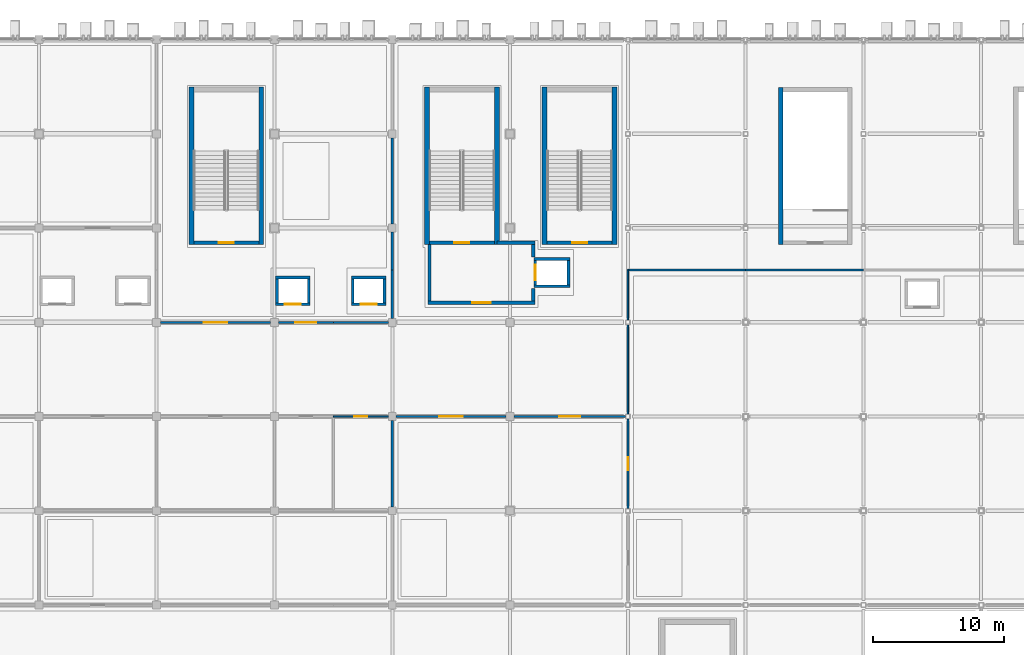
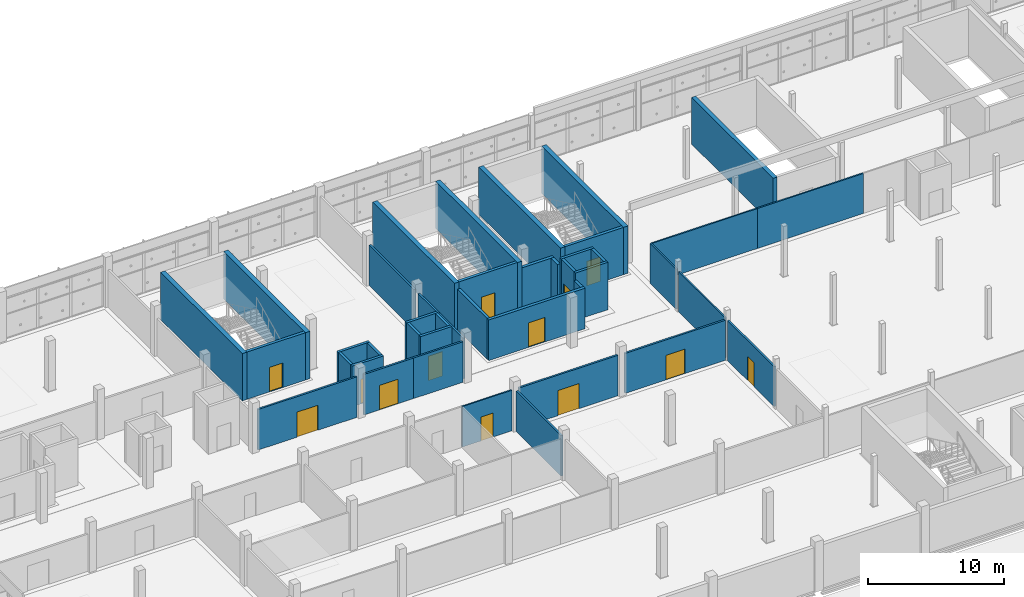
# One storey, part 105 of 124: 42 walls, 13 doors, 13 openings.
"""IFC4 building model written with IfcOpenShell, lengths in metres."""

from ifc_helpers import new_model, si_unit, direction, frame, frame_2d, origin, place, context, subcontext, project, spatial, rectangle, extrude, material, layer, layer_set, type_object, element, fill, save


model = new_model("IFC4")

# Units and contexts
model_context = context("Model", 3, precision=1e-05, world=origin(), true_north=direction((0.0, 1.0)))
body_context = subcontext(model_context, "Body", "Model", "MODEL_VIEW")
ifc_project = project(units=[si_unit("LENGTHUNIT", "METRE"), si_unit("AREAUNIT", "SQUARE_METRE"), si_unit("VOLUMEUNIT", "CUBIC_METRE"), si_unit("PLANEANGLEUNIT", "RADIAN"), si_unit("MASSUNIT", "GRAM", prefix="KILO")], contexts=[model_context])

# Site, building, storey
site_placement = place(None, origin())
site = spatial("IfcSite", under=ifc_project, at=site_placement, CompositionType="ELEMENT")
building_placement = place(site_placement, origin())
building = spatial("IfcBuilding", under=site, at=building_placement, Name="Celestram Park Convention Centre", CompositionType="ELEMENT")
storey_placement = place(building_placement, frame((0.0, 0.0, 15.300048828125)))
storey = spatial("IfcBuildingStorey", under=building, at=storey_placement, Name="L03", CompositionType="ELEMENT", Elevation=15.300048828125)

# Wall, opening, door
ifc_material_1 = material(Name="Concrete Block Masonry C25/30", Category="masonry")
ifc_layer_1 = layer(ifc_material_1, 0.25)
ifc_layer_set_1 = layer_set([ifc_layer_1], Name="Concrete Block Masonry C25/30")
wall_type_1 = type_object("IfcWallType", Name="ARC-WL-COR250", PredefinedType="STANDARD", material=ifc_layer_set_1)
wall_1_placement = place(storey_placement, frame((83.840087890625, 150.074951171875, 0.0), z_axis=(0.0, 0.0, 1.0), x_axis=(1.0, 0.0, 0.0)))
wall_1 = element("IfcWall", 1, at=wall_1_placement, inside=storey, type_object=wall_type_1, Name="Core C2 stair entrance wall", PredefinedType="STANDARD", context=body_context, shape_type="SweptSolid", body=[
    extrude(rectangle(XDim=4.9599609375, YDim=0.25, at=frame_2d((2.47998046875, 0.0))), origin(), (0.0, 0.0, 1.0), 4.25),
])
opening_1_placement = place(wall_1_placement, frame((1.905029296875, 0.0, 0.0)))
opening_1 = element("IfcOpeningElement", 2, at=opening_1_placement, cuts=wall_1, Name="Opening D-ST1", PredefinedType="OPENING", context=body_context, shape_type="SweptSolid", body=[
    extrude(rectangle(XDim=1.14990234375, YDim=2.199951171875, at=frame_2d((0.574951171875, 1.10009765625))), frame((0.0, 0.135009765625, 0.0), z_axis=(0.0, -1.0, 0.0), x_axis=(1.0, 0.0, 0.0)), (0.0, 0.0, 1.0), 0.27001953125),
])
ifc_material_2 = material(Name="Fire-Rated Hollow Metal Steel ASTM A653", Category="steel")
door_type_1 = type_object("IfcDoorType", Name="ARC-DR-ST115", OperationType="NOTDEFINED", PredefinedType="DOOR", material=ifc_material_2)
door_1_placement = place(opening_1_placement, origin())
door_1 = element("IfcDoor", 3, at=door_1_placement, inside=storey, type_object=door_type_1, Name="Exit stair ST-02 fire door", OperationType="SINGLE_SWING_RIGHT", OverallHeight=2.199951171875, OverallWidth=1.14990234375, PredefinedType="DOOR", context=body_context, shape_type="SweptSolid", body=[
    extrude(rectangle(XDim=1.14990234375, YDim=2.199951171875, at=frame_2d((0.574951171875, 1.10009765625))), frame((0.0, 0.02490234375, 0.0), z_axis=(0.0, -1.0, 0.0), x_axis=(1.0, 0.0, 0.0)), (0.0, 0.0, 1.0), 0.050048828125),
])
fill(opening_1, door_1)

wall_2_placement = place(storey_placement, frame((65.840087890625, 150.074951171875, 0.0), z_axis=(0.0, 0.0, 1.0), x_axis=(1.0, 0.0, 0.0)))
wall_2 = element("IfcWall", 4, at=wall_2_placement, inside=storey, type_object=wall_type_1, Name="Core S14 stair entrance wall", PredefinedType="STANDARD", context=body_context, shape_type="SweptSolid", body=[
    extrude(rectangle(XDim=4.9599609375, YDim=0.25, at=frame_2d((2.47998046875, 0.0))), origin(), (0.0, 0.0, 1.0), 4.25),
])
opening_2_placement = place(wall_2_placement, frame((1.905029296875, 0.0, 0.0)))
opening_2 = element("IfcOpeningElement", 5, at=opening_2_placement, cuts=wall_2, Name="Opening D-ST1", PredefinedType="OPENING", context=body_context, shape_type="SweptSolid", body=[
    extrude(rectangle(XDim=1.14990234375, YDim=2.199951171875, at=frame_2d((0.574951171875, 1.10009765625))), frame((0.0, 0.135009765625, 0.0), z_axis=(0.0, -1.0, 0.0), x_axis=(1.0, 0.0, 0.0)), (0.0, 0.0, 1.0), 0.27001953125),
])
door_2_placement = place(opening_2_placement, origin())
door_2 = element("IfcDoor", 6, at=door_2_placement, inside=storey, type_object=door_type_1, Name="Exit stair ST-14 fire door", OperationType="SINGLE_SWING_RIGHT", OverallHeight=2.199951171875, OverallWidth=1.14990234375, PredefinedType="DOOR", context=body_context, shape_type="SweptSolid", body=[
    extrude(rectangle(XDim=1.14990234375, YDim=2.199951171875, at=frame_2d((0.574951171875, 1.10009765625))), frame((0.0, 0.02490234375, 0.0), z_axis=(0.0, -1.0, 0.0), x_axis=(1.0, 0.0, 0.0)), (0.0, 0.0, 1.0), 0.050048828125),
])
fill(opening_2, door_2)

wall_3_placement = place(storey_placement, frame((92.840087890625, 150.074951171875, 0.0), z_axis=(0.0, 0.0, 1.0), x_axis=(1.0, 0.0, 0.0)))
wall_3 = element("IfcWall", 7, at=wall_3_placement, inside=storey, type_object=wall_type_1, Name="Core S19 stair entrance wall", PredefinedType="STANDARD", context=body_context, shape_type="SweptSolid", body=[
    extrude(rectangle(XDim=4.9599609375, YDim=0.25, at=frame_2d((2.47998046875, 0.0))), origin(), (0.0, 0.0, 1.0), 4.25),
])
opening_3_placement = place(wall_3_placement, frame((1.905029296875, 0.0, 0.0)))
opening_3 = element("IfcOpeningElement", 8, at=opening_3_placement, cuts=wall_3, Name="Opening D-ST1", PredefinedType="OPENING", context=body_context, shape_type="SweptSolid", body=[
    extrude(rectangle(XDim=1.14990234375, YDim=2.199951171875, at=frame_2d((0.574951171875, 1.10009765625))), frame((0.0, 0.135009765625, 0.0), z_axis=(0.0, -1.0, 0.0), x_axis=(1.0, 0.0, 0.0)), (0.0, 0.0, 1.0), 0.27001953125),
])
door_3_placement = place(opening_3_placement, origin())
door_3 = element("IfcDoor", 9, at=door_3_placement, inside=storey, type_object=door_type_1, Name="Exit stair ST-19 fire door", OperationType="SINGLE_SWING_LEFT", OverallHeight=2.199951171875, OverallWidth=1.14990234375, PredefinedType="DOOR", context=body_context, shape_type="SweptSolid", body=[
    extrude(rectangle(XDim=1.14990234375, YDim=2.199951171875, at=frame_2d((0.574951171875, 1.10009765625))), frame((0.0, 0.02490234375, 0.0), z_axis=(0.0, -1.0, 0.0), x_axis=(1.0, 0.0, 0.0)), (0.0, 0.0, 1.0), 0.050048828125),
])
fill(opening_3, door_3)

# Wall
wall_4_placement = place(storey_placement, frame((83.840087890625, 149.93994140625, 0.0), z_axis=(0.0, 0.0, 1.0), x_axis=(0.0, -1.0, 0.0)))
element("IfcWall", 10, at=wall_4_placement, inside=storey, type_object=wall_type_1, Name="Firefighting Lift Lobby C2 W wall", PredefinedType="STANDARD", context=body_context, shape_type="SweptSolid", body=[
    extrude(rectangle(XDim=4.31494140625, YDim=0.25, at=frame_2d((2.157470703125, 0.0))), origin(), (0.0, 0.0, 1.0), 3.637939453125),
])

# Wall, opening, door
wall_5_placement = place(storey_placement, frame((83.715087890625, 145.5, 0.0), z_axis=(0.0, 0.0, 1.0), x_axis=(1.0, 0.0, 0.0)))
wall_5 = element("IfcWall", 11, at=wall_5_placement, inside=storey, type_object=wall_type_1, Name="Firefighting Lift Lobby C2 S wall", PredefinedType="STANDARD", context=body_context, shape_type="SweptSolid", body=[
    extrude(rectangle(XDim=8.18994140625, YDim=0.25, at=frame_2d((4.094970703125, 0.0))), origin(), (0.0, 0.0, 1.0), 3.637939453125),
])
opening_4_placement = place(wall_5_placement, frame((3.39501953125, 0.0, 0.0)))
opening_4 = element("IfcOpeningElement", 12, at=opening_4_placement, cuts=wall_5, Name="Opening D-LB1", PredefinedType="OPENING", context=body_context, shape_type="SweptSolid", body=[
    extrude(rectangle(XDim=1.39990234375, YDim=2.199951171875, at=frame_2d((0.699951171875, 1.10009765625))), frame((0.0, 0.135009765625, 0.0), z_axis=(0.0, -1.0, 0.0), x_axis=(1.0, 0.0, 0.0)), (0.0, 0.0, 1.0), 0.27001953125),
])
ifc_material_3 = material(Name="Fire-Rated Glazed Steel Frame", Category="steel")
door_type_2 = type_object("IfcDoorType", Name="ARC-DR-LB140", OperationType="NOTDEFINED", PredefinedType="DOOR", material=ifc_material_3)
door_4_placement = place(opening_4_placement, origin())
door_4 = element("IfcDoor", 13, at=door_4_placement, inside=storey, type_object=door_type_2, Name="Firefighting Lift Lobby C2 fire door", OperationType="SINGLE_SWING_LEFT", OverallHeight=2.199951171875, OverallWidth=1.39990234375, PredefinedType="DOOR", context=body_context, shape_type="SweptSolid", body=[
    extrude(rectangle(XDim=1.39990234375, YDim=2.199951171875, at=frame_2d((0.699951171875, 1.10009765625))), frame((0.0, 0.02490234375, 0.0), z_axis=(0.0, -1.0, 0.0), x_axis=(1.0, 0.0, 0.0)), (0.0, 0.0, 1.0), 0.050048828125),
])
fill(opening_4, door_4)

# Walls
wall_6_placement = place(storey_placement, frame((91.780029296875, 145.625, 0.0), z_axis=(0.0, 0.0, 1.0), x_axis=(0.0, 1.0, 0.0)))
element("IfcWall", 14, at=wall_6_placement, inside=storey, type_object=wall_type_1, Name="Firefighting Lift Lobby C2 ES wall", PredefinedType="STANDARD", context=body_context, shape_type="SweptSolid", body=[
    extrude(rectangle(XDim=0.97509765625, YDim=0.25, at=frame_2d((0.487548828125, 0.0))), origin(), (0.0, 0.0, 1.0), 3.637939453125),
])
wall_7_placement = place(storey_placement, frame((91.780029296875, 149.0, 0.0), z_axis=(0.0, 0.0, 1.0), x_axis=(0.0, 1.0, 0.0)))
element("IfcWall", 15, at=wall_7_placement, inside=storey, type_object=wall_type_1, Name="Firefighting Lift Lobby C2 EN wall", PredefinedType="STANDARD", context=body_context, shape_type="SweptSolid", body=[
    extrude(rectangle(XDim=0.949951171875, YDim=0.25, at=frame_2d((0.47509765625, 0.0))), origin(), (0.0, 0.0, 1.0), 3.637939453125),
])
wall_8_placement = place(storey_placement, frame((89.0, 150.074951171875, 0.0), z_axis=(0.0, 0.0, 1.0), x_axis=(1.0, 0.0, 0.0)))
element("IfcWall", 16, at=wall_8_placement, inside=storey, type_object=wall_type_1, Name="Firefighting Lift Lobby C2 N wall", PredefinedType="STANDARD", context=body_context, shape_type="SweptSolid", body=[
    extrude(rectangle(XDim=2.905029296875, YDim=0.25, at=frame_2d((1.45263671875, 0.0))), origin(), (0.0, 0.0, 1.0), 3.637939453125),
])

# Wall, opening, door
ifc_material_4 = material(Name="Standard Gypsum & Steel Stud 120 mm", Category="steel")
ifc_layer_2 = layer(ifc_material_4, 0.1201171875)
ifc_layer_set_2 = layer_set([ifc_layer_2], Name="Standard Gypsum & Steel Stud 120 mm")
wall_type_2 = type_object("IfcWallType", Name="ARC-WL-PRT120", PredefinedType="PARTITIONING", material=ifc_layer_set_2)
wall_9_placement = place(storey_placement, frame((76.5, 136.800048828125, 0.0), z_axis=(0.0, 0.0, 1.0), x_axis=(1.0, 0.0, 0.0)))
wall_9 = element("IfcWall", 17, at=wall_9_placement, inside=storey, type_object=wall_type_2, Name="Interior partition WL-L03-IN0901", PredefinedType="PARTITIONING", context=body_context, shape_type="SweptSolid", body=[
    extrude(rectangle(XDim=4.201904296875, YDim=0.1201171875, at=frame_2d((2.10107421875, 0.0))), origin(), (0.0, 0.0, 1.0), 3.637939453125),
])
opening_5_placement = place(wall_9_placement, frame((1.60107421875, 0.0, 0.0)))
opening_5 = element("IfcOpeningElement", 18, at=opening_5_placement, cuts=wall_9, Name="Opening D-07", PredefinedType="OPENING", context=body_context, shape_type="SweptSolid", body=[
    extrude(rectangle(XDim=1.0, YDim=2.14990234375, at=frame_2d((0.5, 1.074951171875))), frame((0.0, 0.070068359375, 0.0), z_axis=(0.0, -1.0, 0.0), x_axis=(1.0, 0.0, 0.0)), (0.0, 0.0, 1.0), 0.14013671875),
])
ifc_material_5 = material(Name="Solid Core White Oak Single Door", Category="wood")
door_type_3 = type_object("IfcDoorType", Name="ARC-DR-RM100", OperationType="NOTDEFINED", PredefinedType="DOOR", material=ifc_material_5)
door_5_placement = place(opening_5_placement, origin())
door_5 = element("IfcDoor", 19, at=door_5_placement, inside=storey, type_object=door_type_3, Name="Wellness & Nursing Suite L03 entrance door", OperationType="SINGLE_SWING_RIGHT", OverallHeight=2.14990234375, OverallWidth=1.0, PredefinedType="DOOR", context=body_context, shape_type="SweptSolid", body=[
    extrude(rectangle(XDim=1.0, YDim=2.14990234375, at=frame_2d((0.5, 1.074951171875))), frame((0.0, 0.02490234375, 0.0), z_axis=(0.0, -1.0, 0.0), x_axis=(1.0, 0.0, 0.0)), (0.0, 0.0, 1.0), 0.050048828125),
])
fill(opening_5, door_5)

# Walls
for number, where, z_axis, x_axis, name in (
    (20, (99.0, 148.0, 0.0), (0.0, 0.0, 1.0), (1.0, 0.0, 0.0), "Interior partition WL-L03-IN0907"),
    (21, (108.0, 148.0, 0.0), (0.0, 0.0, 1.0), (1.0, 0.0, 0.0), "Interior partition WL-L03-IN0908"),
):
    element("IfcWall", number, at=place(storey_placement, frame(where, z_axis=z_axis, x_axis=x_axis)), inside=storey, type_object=wall_type_2, Name=name, PredefinedType="PARTITIONING", context=body_context, shape_type="SweptSolid", body=[
        extrude(rectangle(XDim=9.0, YDim=0.1201171875, at=frame_2d((4.5, 0.0))), origin(), (0.0, 0.0, 1.0), 3.587890625),
    ])
wall_10_placement = place(storey_placement, frame((99.0, 136.972900390625, 0.0), z_axis=(0.0, 0.0, 1.0), x_axis=(0.0, 1.0, 0.0)))
element("IfcWall", 22, at=wall_10_placement, inside=storey, type_object=wall_type_2, Name="Interior partition WL-L03-IN0932", PredefinedType="PARTITIONING", context=body_context, shape_type="SweptSolid", body=[
    extrude(rectangle(XDim=6.85400390625, YDim=0.1201171875, at=frame_2d((3.427001953125, 0.0))), origin(), (0.0, 0.0, 1.0), 3.587890625),
])
wall_11_placement = place(storey_placement, frame((99.0, 144.173095703125, 0.0), z_axis=(0.0, 0.0, 1.0), x_axis=(0.0, 1.0, 0.0)))
element("IfcWall", 23, at=wall_11_placement, inside=storey, type_object=wall_type_2, Name="Interior partition WL-L03-IN0933", PredefinedType="PARTITIONING", context=body_context, shape_type="SweptSolid", body=[
    extrude(rectangle(XDim=3.826904296875, YDim=0.1201171875, at=frame_2d((1.91357421875, 0.0))), origin(), (0.0, 0.0, 1.0), 3.587890625),
])

# Wall, opening, door
ifc_material_6 = material(Name="Acoustic Gypsum & Steel Stud 160 mm", Category="steel")
ifc_layer_3 = layer(ifc_material_6, 0.159912109375)
ifc_layer_set_3 = layer_set([ifc_layer_3], Name="Acoustic Gypsum & Steel Stud 160 mm")
wall_type_3 = type_object("IfcWallType", Name="ARC-WL-PRT160", PredefinedType="PARTITIONING", material=ifc_layer_set_3)
wall_12_placement = place(storey_placement, frame((81.298095703125, 136.800048828125, 0.0), z_axis=(0.0, 0.0, 1.0), x_axis=(1.0, 0.0, 0.0)))
wall_12 = element("IfcWall", 24, at=wall_12_placement, inside=storey, type_object=wall_type_3, Name="Interior partition WL-L03-IN0902", PredefinedType="PARTITIONING", context=body_context, shape_type="SweptSolid", body=[
    extrude(rectangle(XDim=8.40380859375, YDim=0.159912109375, at=frame_2d((4.201904296875, 0.0))), origin(), (0.0, 0.0, 1.0), 3.637939453125),
])
opening_6_placement = place(wall_12_placement, frame((3.302001953125, 0.0, 0.0)))
opening_6 = element("IfcOpeningElement", 25, at=opening_6_placement, cuts=wall_12, Name="Opening D-04", PredefinedType="OPENING", context=body_context, shape_type="SweptSolid", body=[
    extrude(rectangle(XDim=1.800048828125, YDim=2.25, at=frame_2d((0.89990234375, 1.125))), frame((0.0, 0.08984375, 0.0), z_axis=(0.0, -1.0, 0.0), x_axis=(1.0, 0.0, 0.0)), (0.0, 0.0, 1.0), 0.179931640625),
])
ifc_material_7 = material(Name="Solid White Oak Acoustic Double Door", Category="wood")
door_type_4 = type_object("IfcDoorType", Name="ARC-DR-MTG180", OperationType="NOTDEFINED", PredefinedType="DOOR", material=ifc_material_7)
door_6_placement = place(opening_6_placement, origin())
door_6 = element("IfcDoor", 26, at=door_6_placement, inside=storey, type_object=door_type_4, Name="Caucus Chamber 302 entrance door", OperationType="DOUBLE_DOOR_SINGLE_SWING", OverallHeight=2.25, OverallWidth=1.800048828125, PredefinedType="DOOR", context=body_context, shape_type="SweptSolid", body=[
    extrude(rectangle(XDim=1.800048828125, YDim=2.25, at=frame_2d((0.89990234375, 1.125))), frame((0.0, 0.02490234375, 0.0), z_axis=(0.0, -1.0, 0.0), x_axis=(1.0, 0.0, 0.0)), (0.0, 0.0, 1.0), 0.050048828125),
])
fill(opening_6, door_6)

wall_13_placement = place(storey_placement, frame((90.298095703125, 136.800048828125, 0.0), z_axis=(0.0, 0.0, 1.0), x_axis=(1.0, 0.0, 0.0)))
wall_13 = element("IfcWall", 27, at=wall_13_placement, inside=storey, type_object=wall_type_3, Name="Interior partition WL-L03-IN0903", PredefinedType="PARTITIONING", context=body_context, shape_type="SweptSolid", body=[
    extrude(rectangle(XDim=8.52880859375, YDim=0.159912109375, at=frame_2d((4.264404296875, 0.0))), origin(), (0.0, 0.0, 1.0), 3.587890625),
])
opening_7_placement = place(wall_13_placement, frame((3.464599609375, 0.0, 0.0)))
opening_7 = element("IfcOpeningElement", 28, at=opening_7_placement, cuts=wall_13, Name="Opening D-05", PredefinedType="OPENING", context=body_context, shape_type="SweptSolid", body=[
    extrude(rectangle(XDim=1.60009765625, YDim=2.199951171875, at=frame_2d((0.800048828125, 1.10009765625))), frame((0.0, 0.08984375, 0.0), z_axis=(0.0, -1.0, 0.0), x_axis=(1.0, 0.0, 0.0)), (0.0, 0.0, 1.0), 0.179931640625),
])
ifc_material_8 = material(Name="Solid White Oak Double Door", Category="wood")
door_type_5 = type_object("IfcDoorType", Name="ARC-DR-MTG160", OperationType="NOTDEFINED", PredefinedType="DOOR", material=ifc_material_8)
door_7_placement = place(opening_7_placement, origin())
door_7 = element("IfcDoor", 29, at=door_7_placement, inside=storey, type_object=door_type_5, Name="Caucus Chamber 302 entrance door", OperationType="DOUBLE_DOOR_SINGLE_SWING", OverallHeight=2.199951171875, OverallWidth=1.60009765625, PredefinedType="DOOR", context=body_context, shape_type="SweptSolid", body=[
    extrude(rectangle(XDim=1.60009765625, YDim=2.199951171875, at=frame_2d((0.800048828125, 1.10009765625))), frame((0.0, 0.02490234375, 0.0), z_axis=(0.0, -1.0, 0.0), x_axis=(1.0, 0.0, 0.0)), (0.0, 0.0, 1.0), 0.050048828125),
])
fill(opening_7, door_7)

wall_14_placement = place(storey_placement, frame((63.298095703125, 144.0, 0.0), z_axis=(0.0, 0.0, 1.0), x_axis=(1.0, 0.0, 0.0)))
wall_14 = element("IfcWall", 30, at=wall_14_placement, inside=storey, type_object=wall_type_3, Name="Interior partition WL-L03-IN0904", PredefinedType="PARTITIONING", context=body_context, shape_type="SweptSolid", body=[
    extrude(rectangle(XDim=8.40380859375, YDim=0.159912109375, at=frame_2d((4.201904296875, 0.0))), origin(), (0.0, 0.0, 1.0), 3.637939453125),
])
opening_8_placement = place(wall_14_placement, frame((3.302001953125, 0.0, 0.0)))
opening_8 = element("IfcOpeningElement", 31, at=opening_8_placement, cuts=wall_14, Name="Opening D-04", PredefinedType="OPENING", context=body_context, shape_type="SweptSolid", body=[
    extrude(rectangle(XDim=1.800048828125, YDim=2.25, at=frame_2d((0.89990234375, 1.125))), frame((0.0, 0.08984375, 0.0), z_axis=(0.0, -1.0, 0.0), x_axis=(1.0, 0.0, 0.0)), (0.0, 0.0, 1.0), 0.179931640625),
])
door_8_placement = place(opening_8_placement, origin())
door_8 = element("IfcDoor", 32, at=door_8_placement, inside=storey, type_object=door_type_4, Name="International Roundtable Hall entrance door", OperationType="DOUBLE_DOOR_SINGLE_SWING", OverallHeight=2.25, OverallWidth=1.800048828125, PredefinedType="DOOR", context=body_context, shape_type="SweptSolid", body=[
    extrude(rectangle(XDim=1.800048828125, YDim=2.25, at=frame_2d((0.89990234375, 1.125))), frame((0.0, 0.02490234375, 0.0), z_axis=(0.0, -1.0, 0.0), x_axis=(1.0, 0.0, 0.0)), (0.0, 0.0, 1.0), 0.050048828125),
])
fill(opening_8, door_8)

wall_15_placement = place(storey_placement, frame((72.298095703125, 144.0, 0.0), z_axis=(0.0, 0.0, 1.0), x_axis=(1.0, 0.0, 0.0)))
wall_15 = element("IfcWall", 33, at=wall_15_placement, inside=storey, type_object=wall_type_3, Name="Interior partition WL-L03-IN0905", PredefinedType="PARTITIONING", context=body_context, shape_type="SweptSolid", body=[
    extrude(rectangle(XDim=4.201904296875, YDim=0.159912109375, at=frame_2d((2.10107421875, 0.0))), origin(), (0.0, 0.0, 1.0), 3.637939453125),
])
opening_9_placement = place(wall_15_placement, frame((1.301025390625, 0.0, 0.0)))
opening_9 = element("IfcOpeningElement", 34, at=opening_9_placement, cuts=wall_15, Name="Opening D-05", PredefinedType="OPENING", context=body_context, shape_type="SweptSolid", body=[
    extrude(rectangle(XDim=1.60009765625, YDim=2.199951171875, at=frame_2d((0.800048828125, 1.10009765625))), frame((0.0, 0.08984375, 0.0), z_axis=(0.0, -1.0, 0.0), x_axis=(1.0, 0.0, 0.0)), (0.0, 0.0, 1.0), 0.179931640625),
])
door_9_placement = place(opening_9_placement, origin())
door_9 = element("IfcDoor", 35, at=door_9_placement, inside=storey, type_object=door_type_5, Name="International Roundtable Hall entrance door", OperationType="DOUBLE_DOOR_SINGLE_SWING", OverallHeight=2.199951171875, OverallWidth=1.60009765625, PredefinedType="DOOR", context=body_context, shape_type="SweptSolid", body=[
    extrude(rectangle(XDim=1.60009765625, YDim=2.199951171875, at=frame_2d((0.800048828125, 1.10009765625))), frame((0.0, 0.02490234375, 0.0), z_axis=(0.0, -1.0, 0.0), x_axis=(1.0, 0.0, 0.0)), (0.0, 0.0, 1.0), 0.050048828125),
])
fill(opening_9, door_9)

# Walls
wall_16_placement = place(storey_placement, frame((76.5, 144.0, 0.0), z_axis=(0.0, 0.0, 1.0), x_axis=(1.0, 0.0, 0.0)))
element("IfcWall", 36, at=wall_16_placement, inside=storey, type_object=wall_type_3, Name="Interior partition WL-L03-IN0906", PredefinedType="PARTITIONING", context=body_context, shape_type="SweptSolid", body=[
    extrude(rectangle(XDim=4.201904296875, YDim=0.159912109375, at=frame_2d((2.10107421875, 0.0))), origin(), (0.0, 0.0, 1.0), 3.637939453125),
])
wall_17_placement = place(storey_placement, frame((81.0, 129.89794921875, 0.0), z_axis=(0.0, 0.0, 1.0), x_axis=(0.0, 1.0, 0.0)))
element("IfcWall", 37, at=wall_17_placement, inside=storey, type_object=wall_type_3, Name="Interior partition WL-L03-IN0925", PredefinedType="PARTITIONING", context=body_context, shape_type="SweptSolid", body=[
    extrude(rectangle(XDim=6.60400390625, YDim=0.159912109375, at=frame_2d((3.302001953125, 0.0))), origin(), (0.0, 0.0, 1.0), 3.637939453125),
])
wall_18_placement = place(storey_placement, frame((81.0, 144.298095703125, 0.0), z_axis=(0.0, 0.0, 1.0), x_axis=(0.0, 1.0, 0.0)))
element("IfcWall", 38, at=wall_18_placement, inside=storey, type_object=wall_type_3, Name="Interior partition WL-L03-IN0926", PredefinedType="PARTITIONING", context=body_context, shape_type="SweptSolid", body=[
    extrude(rectangle(XDim=3.701904296875, YDim=0.159912109375, at=frame_2d((1.85107421875, 0.0))), origin(), (0.0, 0.0, 1.0), 3.637939453125),
])
wall_19_placement = place(storey_placement, frame((81.0, 148.0, 0.0), z_axis=(0.0, 0.0, 1.0), x_axis=(0.0, 1.0, 0.0)))
element("IfcWall", 39, at=wall_19_placement, inside=storey, type_object=wall_type_3, Name="Interior partition WL-L03-IN0927", PredefinedType="PARTITIONING", context=body_context, shape_type="SweptSolid", body=[
    extrude(rectangle(XDim=2.902099609375, YDim=0.159912109375, at=frame_2d((1.451171875, 0.0))), origin(), (0.0, 0.0, 1.0), 3.637939453125),
])
wall_20_placement = place(storey_placement, frame((81.0, 151.498046875, 0.0), z_axis=(0.0, 0.0, 1.0), x_axis=(0.0, 1.0, 0.0)))
element("IfcWall", 40, at=wall_20_placement, inside=storey, type_object=wall_type_3, Name="Interior partition WL-L03-IN0928", PredefinedType="PARTITIONING", context=body_context, shape_type="SweptSolid", body=[
    extrude(rectangle(XDim=6.60400390625, YDim=0.159912109375, at=frame_2d((3.302001953125, 0.0))), origin(), (0.0, 0.0, 1.0), 3.637939453125),
])

# Wall, opening, door
wall_21_placement = place(storey_placement, frame((99.0, 129.77294921875, 0.0), z_axis=(0.0, 0.0, 1.0), x_axis=(0.0, 1.0, 0.0)))
wall_21 = element("IfcWall", 41, at=wall_21_placement, inside=storey, type_object=wall_type_3, Name="Interior partition WL-L03-IN0931", PredefinedType="PARTITIONING", context=body_context, shape_type="SweptSolid", body=[
    extrude(rectangle(XDim=6.85400390625, YDim=0.159912109375, at=frame_2d((3.427001953125, 0.0))), origin(), (0.0, 0.0, 1.0), 3.587890625),
])
opening_10_placement = place(wall_21_placement, frame((2.927001953125, 0.0, 0.0)))
opening_10 = element("IfcOpeningElement", 42, at=opening_10_placement, cuts=wall_21, Name="Opening D-07", PredefinedType="OPENING", context=body_context, shape_type="SweptSolid", body=[
    extrude(rectangle(XDim=1.0, YDim=2.14990234375, at=frame_2d((0.5, 1.074951171875))), frame((0.0, 0.08984375, 0.0), z_axis=(0.0, -1.0, 0.0), x_axis=(1.0, 0.0, 0.0)), (0.0, 0.0, 1.0), 0.179931640625),
])
door_10_placement = place(opening_10_placement, origin())
door_10 = element("IfcDoor", 43, at=door_10_placement, inside=storey, type_object=door_type_3, Name="Park Terrace Dining Salon entrance door", OperationType="SINGLE_SWING_RIGHT", OverallHeight=2.14990234375, OverallWidth=1.0, PredefinedType="DOOR", context=body_context, shape_type="SweptSolid", body=[
    extrude(rectangle(XDim=1.0, YDim=2.14990234375, at=frame_2d((0.5, 1.074951171875))), frame((0.0, 0.02490234375, 0.0), z_axis=(0.0, -1.0, 0.0), x_axis=(1.0, 0.0, 0.0)), (0.0, 0.0, 1.0), 0.050048828125),
])
fill(opening_10, door_10)

# Walls
ifc_layer_4 = layer(ifc_material_1, 0.219970703125)
ifc_layer_set_4 = layer_set([ifc_layer_4], Name="Concrete Block Masonry C25/30")
wall_type_4 = type_object("IfcWallType", Name="ARC-WL-SHF220", PredefinedType="STANDARD", material=ifc_layer_set_4)
for number, where, z_axis, x_axis, name in (
    (44, (91.820068359375, 146.7548828125, 0.0), (0.0, 0.0, 1.0), (1.0, 0.0, 0.0), "Lift LF-02 shaft wall S"),
    (45, (94.580078125, 148.844970703125, 0.0), (0.0, 0.0, 1.0), (-1.0, 0.0, 0.0), "Lift LF-02 shaft wall N"),
):
    element("IfcWall", number, at=place(storey_placement, frame(where, z_axis=z_axis, x_axis=x_axis)), inside=storey, type_object=wall_type_4, Name=name, PredefinedType="STANDARD", context=body_context, shape_type="SweptSolid", body=[
        extrude(rectangle(XDim=2.760009765625, YDim=0.219970703125, at=frame_2d((1.3798828125, 0.0))), origin(), (0.0, 0.0, 1.0), 4.25),
    ])

# Wall, opening, door
wall_22_placement = place(storey_placement, frame((91.929931640625, 148.735107421875, 0.0), z_axis=(0.0, 0.0, 1.0), x_axis=(0.0, -1.0, 0.0)))
wall_22 = element("IfcWall", 46, at=wall_22_placement, inside=storey, type_object=wall_type_4, Name="Lift LF-02 shaft wall W", PredefinedType="STANDARD", context=body_context, shape_type="SweptSolid", body=[
    extrude(rectangle(XDim=1.8701171875, YDim=0.219970703125, at=frame_2d((0.93505859375, 0.0))), origin(), (0.0, 0.0, 1.0), 4.25),
])
opening_11_placement = place(wall_22_placement, frame((0.3349609375, 0.0, 0.0)))
opening_11 = element("IfcOpeningElement", 47, at=opening_11_placement, cuts=wall_22, Name="Opening LD-01", PredefinedType="OPENING", context=body_context, shape_type="SweptSolid", body=[
    extrude(rectangle(XDim=1.199951171875, YDim=2.199951171875, at=frame_2d((0.60009765625, 1.10009765625))), frame((0.0, 0.119873046875, 0.0), z_axis=(0.0, -1.0, 0.0), x_axis=(1.0, 0.0, 0.0)), (0.0, 0.0, 1.0), 0.239990234375),
])
ifc_material_9 = material(Name="Brushed Stainless Steel AISI 304", Category="steel")
door_type_6 = type_object("IfcDoorType", Name="ARC-DR-LFT120", OperationType="NOTDEFINED", PredefinedType="DOOR", material=ifc_material_9)
door_11_placement = place(opening_11_placement, origin())
door_11 = element("IfcDoor", 48, at=door_11_placement, inside=storey, type_object=door_type_6, Name="Lift LF-02 sliding landing door", OperationType="DOUBLE_DOOR_SLIDING", OverallHeight=2.199951171875, OverallWidth=1.199951171875, PredefinedType="DOOR", context=body_context, shape_type="SweptSolid", body=[
    extrude(rectangle(XDim=1.199951171875, YDim=2.199951171875, at=frame_2d((0.60009765625, 1.10009765625))), frame((0.0, 0.02490234375, 0.0), z_axis=(0.0, -1.0, 0.0), x_axis=(1.0, 0.0, 0.0)), (0.0, 0.0, 1.0), 0.050048828125),
])
fill(opening_11, door_11)

# Wall
wall_23_placement = place(storey_placement, frame((94.469970703125, 146.864990234375, 0.0), z_axis=(0.0, 0.0, 1.0), x_axis=(0.0, 1.0, 0.0)))
element("IfcWall", 49, at=wall_23_placement, inside=storey, type_object=wall_type_4, Name="Lift LF-02 shaft wall E", PredefinedType="STANDARD", context=body_context, shape_type="SweptSolid", body=[
    extrude(rectangle(XDim=1.8701171875, YDim=0.219970703125, at=frame_2d((0.93505859375, 0.0))), origin(), (0.0, 0.0, 1.0), 4.25),
])

# Wall, opening, door
wall_24_placement = place(storey_placement, frame((72.070068359375, 145.3798828125, 0.0), z_axis=(0.0, 0.0, 1.0), x_axis=(1.0, 0.0, 0.0)))
wall_24 = element("IfcWall", 50, at=wall_24_placement, inside=storey, type_object=wall_type_4, Name="Lift LP-03 shaft wall S", PredefinedType="STANDARD", context=body_context, shape_type="SweptSolid", body=[
    extrude(rectangle(XDim=2.659912109375, YDim=0.219970703125, at=frame_2d((1.330078125, 0.0))), origin(), (0.0, 0.0, 1.0), 3.637939453125),
])
opening_12_placement = place(wall_24_placement, frame((0.72998046875, 0.0, 0.0)))
opening_12 = element("IfcOpeningElement", 51, at=opening_12_placement, cuts=wall_24, Name="Opening LD-01", PredefinedType="OPENING", context=body_context, shape_type="SweptSolid", body=[
    extrude(rectangle(XDim=1.199951171875, YDim=2.199951171875, at=frame_2d((0.60009765625, 1.10009765625))), frame((0.0, 0.119873046875, 0.0), z_axis=(0.0, -1.0, 0.0), x_axis=(1.0, 0.0, 0.0)), (0.0, 0.0, 1.0), 0.239990234375),
])
door_12_placement = place(opening_12_placement, origin())
door_12 = element("IfcDoor", 52, at=door_12_placement, inside=storey, type_object=door_type_6, Name="Lift LP-03 sliding landing door", OperationType="DOUBLE_DOOR_SLIDING", OverallHeight=2.199951171875, OverallWidth=1.199951171875, PredefinedType="DOOR", context=body_context, shape_type="SweptSolid", body=[
    extrude(rectangle(XDim=1.199951171875, YDim=2.199951171875, at=frame_2d((0.60009765625, 1.10009765625))), frame((0.0, 0.02490234375, 0.0), z_axis=(0.0, -1.0, 0.0), x_axis=(1.0, 0.0, 0.0)), (0.0, 0.0, 1.0), 0.050048828125),
])
fill(opening_12, door_12)

# Walls
wall_25_placement = place(storey_placement, frame((74.72998046875, 147.419921875, 0.0), z_axis=(0.0, 0.0, 1.0), x_axis=(-1.0, 0.0, 0.0)))
element("IfcWall", 53, at=wall_25_placement, inside=storey, type_object=wall_type_4, Name="Lift LP-03 shaft wall N", PredefinedType="STANDARD", context=body_context, shape_type="SweptSolid", body=[
    extrude(rectangle(XDim=2.659912109375, YDim=0.219970703125, at=frame_2d((1.330078125, 0.0))), origin(), (0.0, 0.0, 1.0), 3.637939453125),
])
for number, where, z_axis, x_axis, name in (
    (54, (72.179931640625, 147.31005859375, 0.0), (0.0, 0.0, 1.0), (0.0, -1.0, 0.0), "Lift LP-03 shaft wall W"),
    (55, (74.6201171875, 145.489990234375, 0.0), (0.0, 0.0, 1.0), (0.0, 1.0, 0.0), "Lift LP-03 shaft wall E"),
):
    element("IfcWall", number, at=place(storey_placement, frame(where, z_axis=z_axis, x_axis=x_axis)), inside=storey, type_object=wall_type_4, Name=name, PredefinedType="STANDARD", context=body_context, shape_type="SweptSolid", body=[
        extrude(rectangle(XDim=1.820068359375, YDim=0.219970703125, at=frame_2d((0.91015625, 0.0))), origin(), (0.0, 0.0, 1.0), 3.637939453125),
    ])

# Wall, opening, door
wall_26_placement = place(storey_placement, frame((77.8701171875, 145.3798828125, 0.0), z_axis=(0.0, 0.0, 1.0), x_axis=(1.0, 0.0, 0.0)))
wall_26 = element("IfcWall", 56, at=wall_26_placement, inside=storey, type_object=wall_type_4, Name="Lift LP-04 shaft wall S", PredefinedType="STANDARD", context=body_context, shape_type="SweptSolid", body=[
    extrude(rectangle(XDim=2.659912109375, YDim=0.219970703125, at=frame_2d((1.330078125, 0.0))), origin(), (0.0, 0.0, 1.0), 4.25),
])
opening_13_placement = place(wall_26_placement, frame((0.72998046875, 0.0, 0.0)))
opening_13 = element("IfcOpeningElement", 57, at=opening_13_placement, cuts=wall_26, Name="Opening LD-01", PredefinedType="OPENING", context=body_context, shape_type="SweptSolid", body=[
    extrude(rectangle(XDim=1.199951171875, YDim=2.199951171875, at=frame_2d((0.60009765625, 1.10009765625))), frame((0.0, 0.119873046875, 0.0), z_axis=(0.0, -1.0, 0.0), x_axis=(1.0, 0.0, 0.0)), (0.0, 0.0, 1.0), 0.239990234375),
])
door_13_placement = place(opening_13_placement, origin())
door_13 = element("IfcDoor", 58, at=door_13_placement, inside=storey, type_object=door_type_6, Name="Lift LP-04 sliding landing door", OperationType="DOUBLE_DOOR_SLIDING", OverallHeight=2.199951171875, OverallWidth=1.199951171875, PredefinedType="DOOR", context=body_context, shape_type="SweptSolid", body=[
    extrude(rectangle(XDim=1.199951171875, YDim=2.199951171875, at=frame_2d((0.60009765625, 1.10009765625))), frame((0.0, 0.02490234375, 0.0), z_axis=(0.0, -1.0, 0.0), x_axis=(1.0, 0.0, 0.0)), (0.0, 0.0, 1.0), 0.050048828125),
])
fill(opening_13, door_13)

# Walls
wall_27_placement = place(storey_placement, frame((80.530029296875, 147.419921875, 0.0), z_axis=(0.0, 0.0, 1.0), x_axis=(-1.0, 0.0, 0.0)))
element("IfcWall", 59, at=wall_27_placement, inside=storey, type_object=wall_type_4, Name="Lift LP-04 shaft wall N", PredefinedType="STANDARD", context=body_context, shape_type="SweptSolid", body=[
    extrude(rectangle(XDim=2.659912109375, YDim=0.219970703125, at=frame_2d((1.330078125, 0.0))), origin(), (0.0, 0.0, 1.0), 4.25),
])
for number, where, z_axis, x_axis, name in (
    (60, (77.97998046875, 147.31005859375, 0.0), (0.0, 0.0, 1.0), (0.0, -1.0, 0.0), "Lift LP-04 shaft wall W"),
    (61, (80.419921875, 145.489990234375, 0.0), (0.0, 0.0, 1.0), (0.0, 1.0, 0.0), "Lift LP-04 shaft wall E"),
):
    element("IfcWall", number, at=place(storey_placement, frame(where, z_axis=z_axis, x_axis=x_axis)), inside=storey, type_object=wall_type_4, Name=name, PredefinedType="STANDARD", context=body_context, shape_type="SweptSolid", body=[
        extrude(rectangle(XDim=1.820068359375, YDim=0.219970703125, at=frame_2d((0.91015625, 0.0))), origin(), (0.0, 0.0, 1.0), 4.25),
    ])
ifc_material_10 = material(Name="Concrete C40/50", Category="concrete")
ifc_layer_5 = layer(ifc_material_10, 0.340087890625)
ifc_layer_set_5 = layer_set([ifc_layer_5], Name="Concrete C40/50")
wall_type_5 = type_object("IfcWallType", Name="STR-WL-SHR340", PredefinedType="SHEAR", material=ifc_layer_set_5)
wall_28_placement = place(storey_placement, frame((110.669921875, 149.949951171875, 0.0), z_axis=(0.0, 0.0, 1.0), x_axis=(0.0, 1.0, 0.0)))
element("IfcWall", 62, at=wall_28_placement, inside=storey, type_object=wall_type_5, Name="Core S16 shear wall L", PredefinedType="SHEAR", context=body_context, shape_type="SweptSolid", body=[
    extrude(rectangle(XDim=11.989990234375, YDim=0.340087890625, at=frame_2d((5.9951171875, 0.0))), origin(), (0.0, 0.0, 1.0), 4.199951171875),
])
ifc_layer_6 = layer(ifc_material_10, 0.3798828125)
ifc_layer_set_6 = layer_set([ifc_layer_6], Name="Concrete C40/50")
wall_type_6 = type_object("IfcWallType", Name="STR-WL-SHR380", PredefinedType="SHEAR", material=ifc_layer_set_6)
for number, where, z_axis, x_axis, name in (
    (63, (83.64990234375, 149.949951171875, 0.0), (0.0, 0.0, 1.0), (0.0, 1.0, 0.0), "Core C2 shear wall L"),
    (64, (88.989990234375, 161.97998046875, 0.0), (0.0, 0.0, 1.0), (0.0, -1.0, 0.0), "Core C2 shear wall R"),
    (65, (65.64990234375, 149.949951171875, 0.0), (0.0, 0.0, 1.0), (0.0, 1.0, 0.0), "Core S14 shear wall L"),
    (66, (70.989990234375, 161.97998046875, 0.0), (0.0, 0.0, 1.0), (0.0, -1.0, 0.0), "Core S14 shear wall R"),
    (67, (92.64990234375, 149.949951171875, 0.0), (0.0, 0.0, 1.0), (0.0, 1.0, 0.0), "Core S19 shear wall L"),
    (68, (97.989990234375, 161.97998046875, 0.0), (0.0, 0.0, 1.0), (0.0, -1.0, 0.0), "Core S19 shear wall R"),
):
    element("IfcWall", number, at=place(storey_placement, frame(where, z_axis=z_axis, x_axis=x_axis)), inside=storey, type_object=wall_type_6, Name=name, PredefinedType="SHEAR", context=body_context, shape_type="SweptSolid", body=[
        extrude(rectangle(XDim=12.030029296875, YDim=0.3798828125, at=frame_2d((6.01513671875, 0.0))), origin(), (0.0, 0.0, 1.0), 4.25),
    ])

save(model, "model.ifc")
